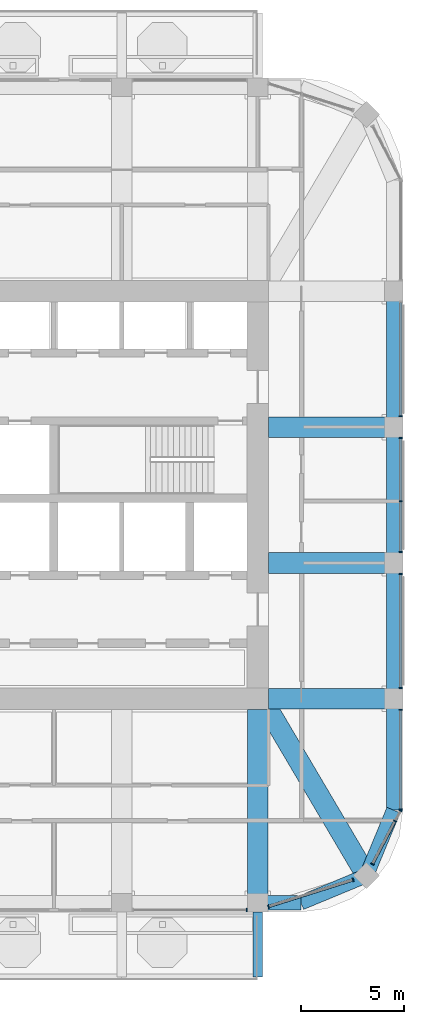
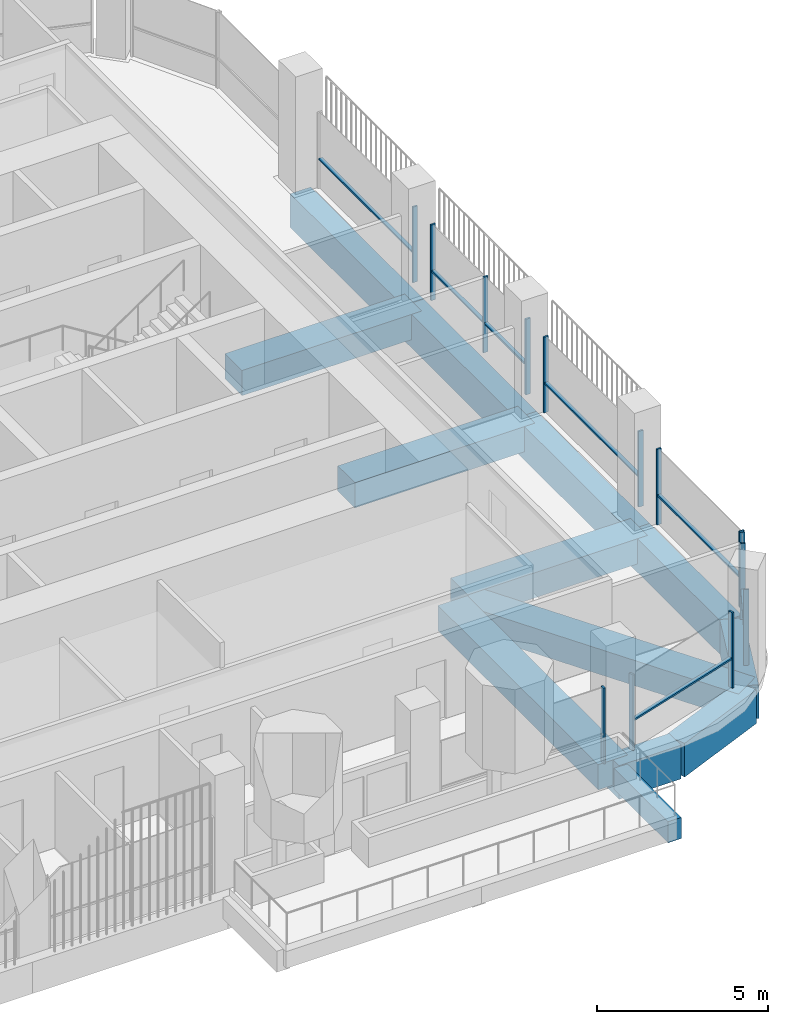
# One storey, part 5 of 21: 21 members, 13 beams, 7 elements without a shape of their own.
"""IFC4 building model written with IfcOpenShell, lengths in metres."""

import ifcopenshell
import ifcopenshell.guid

model = None  # the IFC model being written
_history = None  # IfcOwnerHistory: only IFC2X3 demands one
_inside = {}  # id of a spatial element -> (the spatial element, [elements in it])
_under = {}  # id of a project, library or spatial element -> (it, [spatial elements below it])
_declared = {}  # id of a project -> (the project, [libraries it declares])
_typed = {}  # id of a type object -> (the type object, [elements of that type])
_made_of = {}  # id of a material, layer set ... -> (it, [elements and type objects made of it])


def new_model(schema):
    """Start an empty IFC model of exactly this schema.

    Asked for "IFC4X3", IfcOpenShell would pick the latest addendum, in which some entities
    have other attributes; the version numbers below select the first issue.
    IFC2X3 requires an IfcOwnerHistory on every rooted entity: one is made here for all.
    """
    global model, _history
    if schema == "IFC4X3":
        model = ifcopenshell.file(schema_version=(4, 3, 0, 0))
    else:
        model = ifcopenshell.file(schema=schema)
    _inside.clear()
    _under.clear()
    _declared.clear()
    _typed.clear()
    _made_of.clear()
    _history = None
    if model.schema == "IFC2X3":
        org = make("IfcOrganization", Name="unknown")
        user = make(
            "IfcPersonAndOrganization",
            ThePerson=make("IfcPerson", FamilyName="unknown"),
            TheOrganization=org,
        )
        app = make(
            "IfcApplication",
            ApplicationDeveloper=org,
            Version="unknown",
            ApplicationFullName="unknown",
            ApplicationIdentifier="unknown",
        )
        _history = make(
            "IfcOwnerHistory",
            OwningUser=user,
            OwningApplication=app,
            ChangeAction="ADDED",
            CreationDate=0,
        )
    return model


def make(cls, **values):
    """One entity of the class cls with the attributes given. An attribute that is None is left unset."""
    return model.create_entity(
        cls, **{name: value for name, value in values.items() if value is not None}
    )


def rooted(cls, **values):
    """An entity with a GlobalId (a new one), such as an element, a storey or a relation."""
    return make(cls, GlobalId=ifcopenshell.guid.new(), OwnerHistory=_history, **values)


def si_unit(unit_type, name, prefix=None):
    """IfcSIUnit, for example si_unit("LENGTHUNIT", "METRE", prefix="MILLI")."""
    return make("IfcSIUnit", UnitType=unit_type, Prefix=prefix, Name=name)


def assignment(units):
    """IfcUnitAssignment: the units of a project."""
    return None if units is None else make("IfcUnitAssignment", Units=units)


def point(xyz):
    """IfcCartesianPoint."""
    return None if xyz is None else make("IfcCartesianPoint", Coordinates=xyz)


def direction(xyz):
    """IfcDirection."""
    return None if xyz is None else make("IfcDirection", DirectionRatios=xyz)


def frame(location, z_axis=None, x_axis=None):
    """IfcAxis2Placement3D, a coordinate frame: its origin and axes. An axis left out is left unset."""
    return make(
        "IfcAxis2Placement3D",
        Location=point(location),
        Axis=direction(z_axis),
        RefDirection=direction(x_axis),
    )


def frame_2d(location, x_axis=None):
    """IfcAxis2Placement2D, a coordinate frame in the plane: its origin and x axis."""
    return make(
        "IfcAxis2Placement2D", Location=point(location), RefDirection=direction(x_axis)
    )


def origin():
    """The frame at (0, 0, 0) with its axes left unset."""
    return frame((0.0, 0.0, 0.0))


def origin_2d():
    """The frame at (0, 0) in the plane with its x axis left unset."""
    return frame_2d((0.0, 0.0))


def place(relative_to, where):
    """IfcLocalPlacement: puts the frame where relative to a parent placement (None: the world)."""
    return make(
        "IfcLocalPlacement", PlacementRelTo=relative_to, RelativePlacement=where
    )


def context(
    kind, dimensions, precision=None, world=None, true_north=None, identifier=None
):
    """IfcGeometricRepresentationContext, for example the 3D "Model" context."""
    return make(
        "IfcGeometricRepresentationContext",
        ContextIdentifier=identifier,
        ContextType=kind,
        CoordinateSpaceDimension=dimensions,
        Precision=precision,
        WorldCoordinateSystem=world,
        TrueNorth=true_north,
    )


def subcontext(parent, identifier, kind, view, scale=None):
    """IfcGeometricRepresentationSubContext, for example "Body" below "Model"."""
    return make(
        "IfcGeometricRepresentationSubContext",
        ContextIdentifier=identifier,
        ContextType=kind,
        ParentContext=parent,
        TargetScale=scale,
        TargetView=view,
    )


def project(units=None, contexts=None):
    """IfcProject with its units and contexts."""
    return rooted(
        "IfcProject",
        Name="project",
        RepresentationContexts=contexts,
        UnitsInContext=assignment(units),
    )


def spatial(cls, under=None, at=None, **own):
    """A site, building, storey or space (cls), placed at a placement, below another one or the project."""
    s = rooted(cls, ObjectPlacement=at, **own)
    if under is not None:
        _under.setdefault(under.id(), (under, []))[1].append(s)
    return s


def profile(cls, at=None, kind="AREA", **sizes):
    """A parametric profile (cls). Its sizes go by their IFC names, for example OverallWidth=200.0."""
    return make(cls, ProfileType=kind, Position=at, **sizes)


def rectangle(**sizes):
    """IfcRectangleProfileDef."""
    return profile("IfcRectangleProfileDef", **sizes)


def extrude(swept, where, along, depth):
    """IfcExtrudedAreaSolid: the profile swept, set in the frame where, extruded along a direction by depth."""
    return make(
        "IfcExtrudedAreaSolid",
        SweptArea=swept,
        Position=where,
        ExtrudedDirection=direction(along),
        Depth=depth,
    )


def shape(context_of_items, identifier, shape_type, items):
    """IfcShapeRepresentation: the items that make up one representation, for example the "Body"."""
    return make(
        "IfcShapeRepresentation",
        ContextOfItems=context_of_items,
        RepresentationIdentifier=identifier,
        RepresentationType=shape_type,
        Items=items,
    )


def material(Name=None, Category=None):
    """IfcMaterial."""
    return make("IfcMaterial", Name=Name, Category=Category)


def material_profile(
    of_material, cross_section, Name=None, Category=None, Priority=None
):
    """IfcMaterialProfile: a cross section and its material."""
    return make(
        "IfcMaterialProfile",
        Name=Name,
        Material=of_material,
        Profile=cross_section,
        Priority=Priority,
        Category=Category,
    )


def profile_set(profiles, Name=None, composite=None):
    """IfcMaterialProfileSet."""
    return make(
        "IfcMaterialProfileSet",
        Name=Name,
        MaterialProfiles=profiles,
        CompositeProfile=composite,
    )


def made_of(thing, what):
    """Note that an element or type object is made of a material, layer set ...; save() writes the relation."""
    if what is not None:
        _made_of.setdefault(what.id(), (what, []))[1].append(thing)
    return thing


def type_object(cls, material=None, **own):
    """A type object (cls), such as IfcWallType, which elements share."""
    return made_of(rooted(cls, **own), material)


def element(
    cls,
    number,
    at=None,
    inside=None,
    cuts=None,
    type_object=None,
    material=None,
    context=None,
    identifier="Body",
    shape_type=None,
    held_by="IfcProductDefinitionShape",
    body=None,
    shapes=None,
    **own,
):
    """One element of the class cls, such as IfcWall. Its Tag is "e" and its number.

    at: its placement. inside: the storey or other place that contains it. cuts: it is an
    opening in that element (IfcRelVoidsElement). A single representation is given by context,
    identifier, shape_type and body (its items); several are given by shapes. held_by: the class
    of the entity that holds the representations. save() writes the other relations.
    """
    e = rooted(cls, Tag="e%d" % number, ObjectPlacement=at, **own)
    if body is not None:
        shapes = [shape(context, identifier, shape_type, body)]
    if shapes is not None:
        e.Representation = make(held_by, Representations=shapes)
    if inside is not None:
        _inside.setdefault(inside.id(), (inside, []))[1].append(e)
    if cuts is not None:
        rooted(
            "IfcRelVoidsElement", RelatingBuildingElement=cuts, RelatedOpeningElement=e
        )
    if type_object is not None:
        _typed.setdefault(type_object.id(), (type_object, []))[1].append(e)
    return made_of(e, material)


def aggregate(whole, parts):
    """IfcRelAggregates: a whole, such as a stair, and the parts it consists of."""
    return rooted("IfcRelAggregates", RelatingObject=whole, RelatedObjects=parts)


def save(model, path):
    """Write the relations noted so far, then the file.

    IfcRelAggregates (storeys below a building ...), IfcRelContainedInSpatialStructure (elements
    in a storey), IfcRelDefinesByType, IfcRelAssociatesMaterial and IfcRelDeclares: one each for
    every whole, place, type object, material and project.
    """
    for whole, parts in _under.values():
        aggregate(whole, parts)
    for where, things in _inside.values():
        rooted(
            "IfcRelContainedInSpatialStructure",
            RelatedElements=things,
            RelatingStructure=where,
        )
    for kind, things in _typed.values():
        rooted("IfcRelDefinesByType", RelatedObjects=things, RelatingType=kind)
    for what, things in _made_of.values():
        rooted("IfcRelAssociatesMaterial", RelatedObjects=things, RelatingMaterial=what)
    for by, libraries in _declared.values():
        rooted("IfcRelDeclares", RelatingContext=by, RelatedDefinitions=libraries)
    model.write(path)


model = new_model("IFC4")

# Units and contexts
model_context = context("Model", 3, precision=1e-05, world=origin(), true_north=direction((0.0, 1.0)))
body_context = subcontext(model_context, "Body", "Model", "MODEL_VIEW")
ifc_project = project(units=[si_unit("LENGTHUNIT", "METRE"), si_unit("AREAUNIT", "SQUARE_METRE"), si_unit("VOLUMEUNIT", "CUBIC_METRE"), si_unit("PLANEANGLEUNIT", "RADIAN"), si_unit("MASSUNIT", "GRAM", prefix="KILO")], contexts=[model_context])

# Site, building, storey
site_placement = place(None, origin())
site = spatial("IfcSite", under=ifc_project, at=site_placement, CompositionType="ELEMENT")
building_placement = place(site_placement, origin())
building = spatial("IfcBuilding", under=site, at=building_placement, Name="Cobogo Forest Laboratory Tower", CompositionType="ELEMENT")
storey_placement = place(building_placement, frame((0.0, 0.0, 258.60009765625)))
storey = spatial("IfcBuildingStorey", under=building, at=storey_placement, Name="L59", CompositionType="ELEMENT", Elevation=258.60009765625)

# Beam
ifc_material_1 = material(Name="Concrete HA-40 (C40/50)", Category="concrete")
ifc_material_profile_1 = material_profile(ifc_material_1, rectangle(XDim=0.449951171875, YDim=0.75, at=origin_2d()), Name="RC 450x750")
ifc_profile_set_1 = profile_set([ifc_material_profile_1], Name="Concrete HA-40 (C40/50)")
beam_type_1 = type_object("IfcBeamType", Name="Balcony cantilever beam 450x750", PredefinedType="BEAM", material=ifc_profile_set_1)
beam_1_placement = place(storey_placement, frame((39.60009765625, 2.85009765625, -0.625), z_axis=(0.0, -1.0, 0.0), x_axis=(1.0, 0.0, 0.0)))
element("IfcBeam", 1, at=beam_1_placement, inside=storey, type_object=beam_type_1, Name="CB1 BAL-S1-C3 L59", PredefinedType="BEAM", context=body_context, shape_type="SweptSolid", body=[
    extrude(rectangle(XDim=0.449951171875, YDim=0.75, at=origin_2d()), origin(), (0.0, 0.0, 1.0), 3.150146484375),
])

# Curtain wall, member
ifc_material_2 = material(Name="Aluminium curtain wall", Category="aluminium")
curtain_wall_type = type_object("IfcCurtainWallType", Name="CW-2 unitised curtain wall, solar control glazing, laboratory floors zones C and D", PredefinedType="USERDEFINED", material=ifc_material_2)
curtain_wall_1_placement = place(storey_placement, origin())
curtain_wall_1 = element("IfcCurtainWall", 2, at=curtain_wall_1_placement, inside=storey, type_object=curtain_wall_type, Name="Curtain wall 04 L59", ObjectType="UNITISED CURTAIN WALL", PredefinedType="USERDEFINED")
ifc_material_3 = material(Name="Aluminium mullion", Category="aluminium")
ifc_material_profile_2 = material_profile(ifc_material_3, rectangle(XDim=0.06005859375, YDim=0.159912109375, at=origin_2d()), Name="AL 60x160")
ifc_profile_set_2 = profile_set([ifc_material_profile_2], Name="Aluminium mullion")
member_type_1 = type_object("IfcMemberType", Name="MU-1 aluminium mullion 60x160", PredefinedType="MULLION", material=ifc_profile_set_2)
member_1_placement = place(storey_placement, frame((39.070068359375, 2.949951171875, 0.0), z_axis=(0.0, 0.0, 1.0), x_axis=(1.0, 0.0, 0.0)))
member_1 = element("IfcMember", 3, at=member_1_placement, type_object=member_type_1, Name="CW-2 mullion 2", PredefinedType="MULLION", context=body_context, shape_type="SweptSolid", body=[
    extrude(rectangle(XDim=0.06005859375, YDim=0.159912109375, at=origin_2d()), origin(), (0.0, 0.0, 1.0), 2.699951171875),
])
aggregate(curtain_wall_1, [member_1])

# Curtain wall, members
curtain_wall_2_placement = place(storey_placement, origin())
curtain_wall_2 = element("IfcCurtainWall", 4, at=curtain_wall_2_placement, inside=storey, type_object=curtain_wall_type, Name="Curtain wall 05 L59", ObjectType="UNITISED CURTAIN WALL", PredefinedType="USERDEFINED")
member_2_placement = place(storey_placement, frame((40.128662109375, 3.116943359375, 0.0), z_axis=(0.0, 0.0, 1.0), x_axis=(0.953581379409, 0.301135439371, 0.0)))
member_2 = element("IfcMember", 5, at=member_2_placement, type_object=member_type_1, Name="CW-2 mullion 1", PredefinedType="MULLION", context=body_context, shape_type="SweptSolid", body=[
    extrude(rectangle(XDim=0.06005859375, YDim=0.159912109375, at=origin_2d()), origin(), (0.0, 0.0, 1.0), 2.699951171875),
])
member_3_placement = place(storey_placement, frame((44.22998046875, 4.412109375, 0.0), z_axis=(0.0, 0.0, 1.0), x_axis=(0.953581379409, 0.301135439371, 0.0)))
member_3 = element("IfcMember", 6, at=member_3_placement, type_object=member_type_1, Name="CW-2 mullion 2", PredefinedType="MULLION", context=body_context, shape_type="SweptSolid", body=[
    extrude(rectangle(XDim=0.06005859375, YDim=0.159912109375, at=origin_2d()), origin(), (0.0, 0.0, 1.0), 2.699951171875),
])

curtain_wall_3_placement = place(storey_placement, origin())
curtain_wall_3 = element("IfcCurtainWall", 7, at=curtain_wall_3_placement, inside=storey, type_object=curtain_wall_type, Name="Curtain wall 06 L59", ObjectType="UNITISED CURTAIN WALL", PredefinedType="USERDEFINED")
member_4_placement = place(storey_placement, frame((45.177978515625, 5.1826171875, 0.0), z_axis=(0.0, 0.0, 1.0), x_axis=(0.464283778337, 0.885686498245, 0.0)))
member_4 = element("IfcMember", 8, at=member_4_placement, type_object=member_type_1, Name="CW-2 mullion 1", PredefinedType="MULLION", context=body_context, shape_type="SweptSolid", body=[
    extrude(rectangle(XDim=0.06005859375, YDim=0.159912109375, at=origin_2d()), origin(), (0.0, 0.0, 1.0), 2.699951171875),
])
member_5_placement = place(storey_placement, frame((46.268310546875, 7.262939453125, 0.0), z_axis=(0.0, 0.0, 1.0), x_axis=(0.464283778337, 0.885686498245, 0.0)))
member_5 = element("IfcMember", 9, at=member_5_placement, type_object=member_type_1, Name="CW-2 mullion 2", PredefinedType="MULLION", context=body_context, shape_type="SweptSolid", body=[
    extrude(rectangle(XDim=0.06005859375, YDim=0.159912109375, at=origin_2d()), origin(), (0.0, 0.0, 1.0), 2.699951171875),
])
member_6_placement = place(storey_placement, frame((46.5361328125, 7.7734375, 0.0), z_axis=(0.0, 0.0, 1.0), x_axis=(0.464283778337, 0.885686498245, 0.0)))
member_6 = element("IfcMember", 10, at=member_6_placement, type_object=member_type_1, Name="CW-2 mullion 3", PredefinedType="MULLION", context=body_context, shape_type="SweptSolid", body=[
    extrude(rectangle(XDim=0.06005859375, YDim=0.159912109375, at=origin_2d()), origin(), (0.0, 0.0, 1.0), 2.699951171875),
])

curtain_wall_4_placement = place(storey_placement, origin())
curtain_wall_4 = element("IfcCurtainWall", 11, at=curtain_wall_4_placement, inside=storey, type_object=curtain_wall_type, Name="Curtain wall 07 L59", ObjectType="UNITISED CURTAIN WALL", PredefinedType="USERDEFINED")
member_7_placement = place(storey_placement, frame((46.550048828125, 7.830078125, 0.0), z_axis=(0.0, 0.0, 1.0), x_axis=(0.0, 1.0, 0.0)))
member_7 = element("IfcMember", 12, at=member_7_placement, type_object=member_type_1, Name="CW-2 mullion 1", PredefinedType="MULLION", context=body_context, shape_type="SweptSolid", body=[
    extrude(rectangle(XDim=0.06005859375, YDim=0.159912109375, at=origin_2d()), origin(), (0.0, 0.0, 1.0), 2.699951171875),
])
member_8_placement = place(storey_placement, frame((46.550048828125, 12.669921875, 0.0), z_axis=(0.0, 0.0, 1.0), x_axis=(0.0, 1.0, 0.0)))
member_8 = element("IfcMember", 13, at=member_8_placement, type_object=member_type_1, Name="CW-2 mullion 2", PredefinedType="MULLION", context=body_context, shape_type="SweptSolid", body=[
    extrude(rectangle(XDim=0.06005859375, YDim=0.159912109375, at=origin_2d()), origin(), (0.0, 0.0, 1.0), 2.699951171875),
])

curtain_wall_5_placement = place(storey_placement, origin())
curtain_wall_5 = element("IfcCurtainWall", 14, at=curtain_wall_5_placement, inside=storey, type_object=curtain_wall_type, Name="Curtain wall 08 L59", ObjectType="UNITISED CURTAIN WALL", PredefinedType="USERDEFINED")
member_9_placement = place(storey_placement, frame((46.550048828125, 13.72998046875, 0.0), z_axis=(0.0, 0.0, 1.0), x_axis=(0.0, 1.0, 0.0)))
member_9 = element("IfcMember", 15, at=member_9_placement, type_object=member_type_1, Name="CW-2 mullion 1", PredefinedType="MULLION", context=body_context, shape_type="SweptSolid", body=[
    extrude(rectangle(XDim=0.06005859375, YDim=0.159912109375, at=origin_2d()), origin(), (0.0, 0.0, 1.0), 2.699951171875),
])
member_10_placement = place(storey_placement, frame((46.550048828125, 19.27001953125, 0.0), z_axis=(0.0, 0.0, 1.0), x_axis=(0.0, 1.0, 0.0)))
member_10 = element("IfcMember", 16, at=member_10_placement, type_object=member_type_1, Name="CW-2 mullion 2", PredefinedType="MULLION", context=body_context, shape_type="SweptSolid", body=[
    extrude(rectangle(XDim=0.06005859375, YDim=0.159912109375, at=origin_2d()), origin(), (0.0, 0.0, 1.0), 2.699951171875),
])

curtain_wall_6_placement = place(storey_placement, origin())
curtain_wall_6 = element("IfcCurtainWall", 17, at=curtain_wall_6_placement, inside=storey, type_object=curtain_wall_type, Name="Curtain wall 09 L59", ObjectType="UNITISED CURTAIN WALL", PredefinedType="USERDEFINED")
member_11_placement = place(storey_placement, frame((46.550048828125, 20.330078125, 0.0), z_axis=(0.0, 0.0, 1.0), x_axis=(0.0, 1.0, 0.0)))
member_11 = element("IfcMember", 18, at=member_11_placement, type_object=member_type_1, Name="CW-2 mullion 1", PredefinedType="MULLION", context=body_context, shape_type="SweptSolid", body=[
    extrude(rectangle(XDim=0.06005859375, YDim=0.159912109375, at=origin_2d()), origin(), (0.0, 0.0, 1.0), 2.699951171875),
])
member_12_placement = place(storey_placement, frame((46.550048828125, 22.800048828125, 0.0), z_axis=(0.0, 0.0, 1.0), x_axis=(0.0, 1.0, 0.0)))
member_12 = element("IfcMember", 19, at=member_12_placement, type_object=member_type_1, Name="CW-2 mullion 2", PredefinedType="MULLION", context=body_context, shape_type="SweptSolid", body=[
    extrude(rectangle(XDim=0.06005859375, YDim=0.159912109375, at=origin_2d()), origin(), (0.0, 0.0, 1.0), 2.699951171875),
])
member_13_placement = place(storey_placement, frame((46.550048828125, 25.8701171875, 0.0), z_axis=(0.0, 0.0, 1.0), x_axis=(0.0, 1.0, 0.0)))
member_13 = element("IfcMember", 20, at=member_13_placement, type_object=member_type_1, Name="CW-2 mullion 3", PredefinedType="MULLION", context=body_context, shape_type="SweptSolid", body=[
    extrude(rectangle(XDim=0.06005859375, YDim=0.159912109375, at=origin_2d()), origin(), (0.0, 0.0, 1.0), 2.699951171875),
])

# Curtain wall, member
curtain_wall_7_placement = place(storey_placement, origin())
curtain_wall_7 = element("IfcCurtainWall", 21, at=curtain_wall_7_placement, inside=storey, type_object=curtain_wall_type, Name="Curtain wall 10 L59", ObjectType="UNITISED CURTAIN WALL", PredefinedType="USERDEFINED")
member_14_placement = place(storey_placement, frame((46.550048828125, 26.929931640625, 0.0), z_axis=(0.0, 0.0, 1.0), x_axis=(0.0, 1.0, 0.0)))
member_14 = element("IfcMember", 22, at=member_14_placement, type_object=member_type_1, Name="CW-2 mullion 1", PredefinedType="MULLION", context=body_context, shape_type="SweptSolid", body=[
    extrude(rectangle(XDim=0.06005859375, YDim=0.159912109375, at=origin_2d()), origin(), (0.0, 0.0, 1.0), 2.699951171875),
])

# Beams
ifc_material_profile_3 = material_profile(ifc_material_1, rectangle(XDim=1.0, YDim=0.89990234375, at=origin_2d()), Name="RC 1000x900")
ifc_profile_set_3 = profile_set([ifc_material_profile_3], Name="Concrete HA-40 (C40/50)")
beam_type_2 = type_object("IfcBeamType", Name="Office floor wide beam 1000x900", PredefinedType="BEAM", material=ifc_profile_set_3)
beam_2_placement = place(storey_placement, frame((39.60009765625, 12.675048828125, -0.75), z_axis=(0.0, -1.0, 0.0), x_axis=(1.0, 0.0, 0.0)))
element("IfcBeam", 23, at=beam_2_placement, inside=storey, type_object=beam_type_2, Name="RB2 R-7-S L59", PredefinedType="BEAM", context=body_context, shape_type="SweptSolid", body=[
    extrude(rectangle(XDim=1.0, YDim=0.89990234375, at=origin_2d()), origin(), (0.0, 0.0, 1.0), 9.375),
])
for number, where, z_axis, x_axis, name in (
    (24, (40.125, 13.199951171875, -0.75), (1.0, 0.0, 0.0), (0.0, 1.0, 0.0), "RB2 R-C-E L59"),
    (25, (40.125, 19.800048828125, -0.75), (1.0, 0.0, 0.0), (0.0, 1.0, 0.0), "RB2 R-D-E L59"),
    (26, (40.125, 26.39990234375, -0.75), (1.0, 0.0, 0.0), (0.0, 1.0, 0.0), "RB2 R-E-E L59"),
):
    element("IfcBeam", number, at=place(storey_placement, frame(where, z_axis=z_axis, x_axis=x_axis)), inside=storey, type_object=beam_type_2, Name=name, PredefinedType="BEAM", context=body_context, shape_type="SweptSolid", body=[
        extrude(rectangle(XDim=1.0, YDim=0.89990234375, at=origin_2d()), origin(), (0.0, 0.0, 1.0), 6.074951171875),
    ])
beam_3_placement = place(storey_placement, frame((44.882080078125, 4.617919921875, -0.75), z_axis=(-0.508416325908, 0.861111397875, 0.0), x_axis=(-0.861111397875, -0.508416325908, 0.0)))
element("IfcBeam", 27, at=beam_3_placement, inside=storey, type_object=beam_type_2, Name="RB2 G-SE-D1 L59", PredefinedType="BEAM", context=body_context, shape_type="SweptSolid", body=[
    extrude(rectangle(XDim=1.0, YDim=0.89990234375, at=origin_2d()), origin(), (0.0, 0.0, 1.0), 9.356689453125),
])
ifc_material_profile_4 = material_profile(ifc_material_1, rectangle(XDim=0.699951171875, YDim=1.199951171875, at=origin_2d()), Name="RC 700x1200")
ifc_profile_set_4 = profile_set([ifc_material_profile_4], Name="Concrete HA-40 (C40/50)")
beam_type_3 = type_object("IfcBeamType", Name="Perimeter edge beam 700x1200", PredefinedType="BEAM", material=ifc_profile_set_4)
beam_4_placement = place(storey_placement, frame((46.199951171875, 13.199951171875, -0.900146484375), z_axis=(0.0, 1.0, 0.0), x_axis=(-1.0, 0.0, 0.0)))
element("IfcBeam", 28, at=beam_4_placement, inside=storey, type_object=beam_type_3, Name="EB1 E-E1 L59", PredefinedType="BEAM", context=body_context, shape_type="SweptSolid", body=[
    extrude(rectangle(XDim=0.699951171875, YDim=1.199951171875, at=origin_2d()), origin(), (0.0, 0.0, 1.0), 6.60009765625),
])
beam_5_placement = place(storey_placement, frame((46.199951171875, 19.800048828125, -0.900146484375), z_axis=(0.0, 1.0, 0.0), x_axis=(-1.0, 0.0, 0.0)))
element("IfcBeam", 29, at=beam_5_placement, inside=storey, type_object=beam_type_3, Name="EB1 E-E2 L59", PredefinedType="BEAM", context=body_context, shape_type="SweptSolid", body=[
    extrude(rectangle(XDim=0.699951171875, YDim=1.199951171875, at=origin_2d()), origin(), (0.0, 0.0, 1.0), 6.599853515625),
])
beam_6_placement = place(storey_placement, frame((46.199951171875, 26.39990234375, -0.900146484375), z_axis=(0.0, 1.0, 0.0), x_axis=(-1.0, 0.0, 0.0)))
element("IfcBeam", 30, at=beam_6_placement, inside=storey, type_object=beam_type_3, Name="EB1 E-E3 L59", PredefinedType="BEAM", context=body_context, shape_type="SweptSolid", body=[
    extrude(rectangle(XDim=0.699951171875, YDim=1.199951171875, at=origin_2d()), origin(), (0.0, 0.0, 1.0), 6.60009765625),
])
beam_7_placement = place(storey_placement, frame((39.60009765625, 3.300048828125, -0.900146484375), z_axis=(1.0, 0.0, 0.0), x_axis=(0.0, 1.0, 0.0)))
element("IfcBeam", 31, at=beam_7_placement, inside=storey, type_object=beam_type_3, Name="EB1 E-SES1 L59", PredefinedType="BEAM", context=body_context, shape_type="SweptSolid", body=[
    extrude(rectangle(XDim=0.699951171875, YDim=1.199951171875, at=origin_2d()), origin(), (0.0, 0.0, 1.0), 2.099853515625),
])
beam_8_placement = place(storey_placement, frame((41.699951171875, 3.300048828125, -0.900146484375), z_axis=(0.923901072997, 0.382631424892, 0.0), x_axis=(-0.382631424892, 0.923901072997, 0.0)))
element("IfcBeam", 32, at=beam_8_placement, inside=storey, type_object=beam_type_3, Name="EB1 E-SES2 L59", PredefinedType="BEAM", context=body_context, shape_type="SweptSolid", body=[
    extrude(rectangle(XDim=0.699951171875, YDim=1.199951171875, at=origin_2d()), origin(), (0.0, 0.0, 1.0), 3.4443359375),
])
beam_9_placement = place(storey_placement, frame((46.199951171875, 13.199951171875, -0.900146484375), z_axis=(0.0, -1.0, 0.0), x_axis=(1.0, 0.0, 0.0)))
element("IfcBeam", 33, at=beam_9_placement, inside=storey, type_object=beam_type_3, Name="EB1 E-SEE1 L59", PredefinedType="BEAM", context=body_context, shape_type="SweptSolid", body=[
    extrude(rectangle(XDim=0.699951171875, YDim=1.199951171875, at=origin_2d()), origin(), (0.0, 0.0, 1.0), 5.39990234375),
])
beam_10_placement = place(storey_placement, frame((46.199951171875, 7.800048828125, -0.900146484375), z_axis=(-0.382631424892, -0.923901072997, 0.0), x_axis=(0.923901072997, -0.382631424892, 0.0)))
element("IfcBeam", 34, at=beam_10_placement, inside=storey, type_object=beam_type_3, Name="EB1 E-SEE2 L59", PredefinedType="BEAM", context=body_context, shape_type="SweptSolid", body=[
    extrude(rectangle(XDim=0.699951171875, YDim=1.199951171875, at=origin_2d()), origin(), (0.0, 0.0, 1.0), 3.4443359375),
])

# Member
ifc_material_4 = material(Name="Aluminium transom", Category="aluminium")
ifc_material_profile_5 = material_profile(ifc_material_4, rectangle(XDim=0.1201171875, YDim=0.06005859375, at=origin_2d()), Name="AL 60x120")
ifc_profile_set_5 = profile_set([ifc_material_profile_5], Name="Aluminium transom")
member_type_2 = type_object("IfcMemberType", Name="TR-1 aluminium transom 60x120", PredefinedType="USERDEFINED", material=ifc_profile_set_5)
member_15_placement = place(storey_placement, frame((40.1572265625, 3.1259765625, 1.0498046875), z_axis=(0.953583535148, 0.30112861288, 0.0), x_axis=(-0.30112861288, 0.953583535148, 0.0)))
member_15 = element("IfcMember", 35, at=member_15_placement, type_object=member_type_2, Name="CW-2 transom 1.1", ObjectType="TRANSOM", PredefinedType="USERDEFINED", context=body_context, shape_type="SweptSolid", body=[
    extrude(rectangle(XDim=0.1201171875, YDim=0.06005859375, at=origin_2d()), origin(), (0.0, 0.0, 1.0), 4.240966796875),
])

aggregate(curtain_wall_2, [member_2, member_3, member_15])

member_16_placement = place(storey_placement, frame((45.19189453125, 5.209228515625, 1.0498046875), z_axis=(0.46424215306, 0.885708317293, 0.0), x_axis=(-0.885708317293, 0.46424215306, 0.0)))
member_16 = element("IfcMember", 36, at=member_16_placement, type_object=member_type_2, Name="CW-2 transom 1.1", ObjectType="TRANSOM", PredefinedType="USERDEFINED", context=body_context, shape_type="SweptSolid", body=[
    extrude(rectangle(XDim=0.1201171875, YDim=0.06005859375, at=origin_2d()), origin(), (0.0, 0.0, 1.0), 2.28857421875),
])

aggregate(curtain_wall_3, [member_4, member_5, member_6, member_16])

member_17_placement = place(storey_placement, frame((46.550048828125, 7.860107421875, 1.0498046875), z_axis=(0.0, 1.0, 0.0), x_axis=(-1.0, 0.0, 0.0)))
member_17 = element("IfcMember", 37, at=member_17_placement, type_object=member_type_2, Name="CW-2 transom 1.1", ObjectType="TRANSOM", PredefinedType="USERDEFINED", context=body_context, shape_type="SweptSolid", body=[
    extrude(rectangle(XDim=0.1201171875, YDim=0.06005859375, at=origin_2d()), origin(), (0.0, 0.0, 1.0), 4.77978515625),
])

aggregate(curtain_wall_4, [member_7, member_8, member_17])

member_18_placement = place(storey_placement, frame((46.550048828125, 13.760009765625, 1.0498046875), z_axis=(0.0, 1.0, 0.0), x_axis=(-1.0, 0.0, 0.0)))
member_18 = element("IfcMember", 38, at=member_18_placement, type_object=member_type_2, Name="CW-2 transom 1.1", ObjectType="TRANSOM", PredefinedType="USERDEFINED", context=body_context, shape_type="SweptSolid", body=[
    extrude(rectangle(XDim=0.1201171875, YDim=0.06005859375, at=origin_2d()), origin(), (0.0, 0.0, 1.0), 5.47998046875),
])

aggregate(curtain_wall_5, [member_9, member_10, member_18])

member_19_placement = place(storey_placement, frame((46.550048828125, 20.360107421875, 1.0498046875), z_axis=(0.0, 1.0, 0.0), x_axis=(-1.0, 0.0, 0.0)))
member_19 = element("IfcMember", 39, at=member_19_placement, type_object=member_type_2, Name="CW-2 transom 1.1", ObjectType="TRANSOM", PredefinedType="USERDEFINED", context=body_context, shape_type="SweptSolid", body=[
    extrude(rectangle(XDim=0.1201171875, YDim=0.06005859375, at=origin_2d()), origin(), (0.0, 0.0, 1.0), 2.409912109375),
])

member_20_placement = place(storey_placement, frame((46.550048828125, 22.830078125, 1.0498046875), z_axis=(0.0, 1.0, 0.0), x_axis=(-1.0, 0.0, 0.0)))
member_20 = element("IfcMember", 40, at=member_20_placement, type_object=member_type_2, Name="CW-2 transom 2.1", ObjectType="TRANSOM", PredefinedType="USERDEFINED", context=body_context, shape_type="SweptSolid", body=[
    extrude(rectangle(XDim=0.1201171875, YDim=0.06005859375, at=origin_2d()), origin(), (0.0, 0.0, 1.0), 3.010009765625),
])

aggregate(curtain_wall_6, [member_11, member_12, member_13, member_19, member_20])

member_21_placement = place(storey_placement, frame((46.550048828125, 26.9599609375, 1.0498046875), z_axis=(0.0, 1.0, 0.0), x_axis=(-1.0, 0.0, 0.0)))
member_21 = element("IfcMember", 41, at=member_21_placement, type_object=member_type_2, Name="CW-2 transom 1.1", ObjectType="TRANSOM", PredefinedType="USERDEFINED", context=body_context, shape_type="SweptSolid", body=[
    extrude(rectangle(XDim=0.1201171875, YDim=0.06005859375, at=origin_2d()), origin(), (0.0, 0.0, 1.0), 5.47998046875),
])

aggregate(curtain_wall_7, [member_14, member_21])

save(model, "model.ifc")
